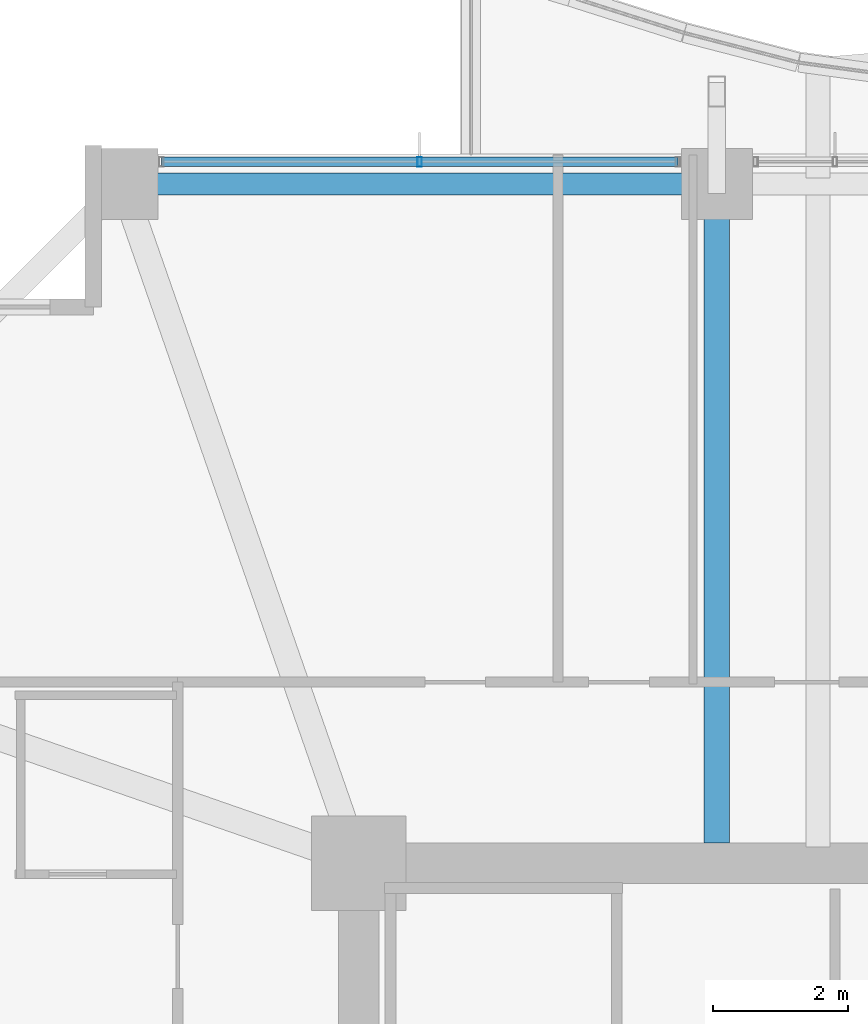
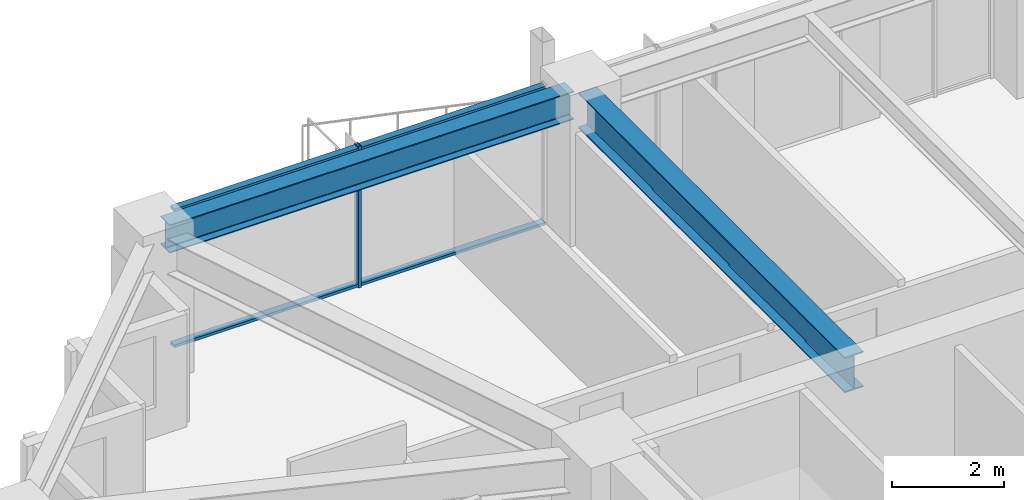
# One storey, part 20 of 38: 3 members, 2 beams, 1 element without a shape of its own.
"""IFC4 building model written with IfcOpenShell, lengths in metres."""

from ifc_helpers import new_model, si_unit, direction, frame, origin, origin_2d, place, context, subcontext, project, spatial, hollow_rectangle, i_section, extrude, material, material_profile, profile_set, type_object, element, aggregate, save


model = new_model("IFC4")

# Units and contexts
model_context = context("Model", 3, precision=1e-05, world=origin(), true_north=direction((0.0, 1.0)))
body_context = subcontext(model_context, "Body", "Model", "MODEL_VIEW")
ifc_project = project(units=[si_unit("LENGTHUNIT", "METRE"), si_unit("AREAUNIT", "SQUARE_METRE"), si_unit("VOLUMEUNIT", "CUBIC_METRE"), si_unit("PLANEANGLEUNIT", "RADIAN"), si_unit("MASSUNIT", "GRAM", prefix="KILO")], contexts=[model_context])

# Site, building, storey
site_placement = place(None, origin())
site = spatial("IfcSite", under=ifc_project, at=site_placement, CompositionType="ELEMENT")
building_placement = place(site_placement, origin())
building = spatial("IfcBuilding", under=site, at=building_placement, Name="Kolvaren Belvedere", CompositionType="ELEMENT")
storey_placement = place(building_placement, frame((0.0, 0.0, 78.800048828125)))
storey = spatial("IfcBuildingStorey", under=building, at=storey_placement, Name="L22", CompositionType="ELEMENT", Elevation=78.800048828125)

# Beams
ifc_material_1 = material(Name="Structural steel ASTM A992 Grade 50", Category="steel")
ifc_material_profile_1 = material_profile(ifc_material_1, i_section(OverallWidth=0.381103515625, OverallDepth=0.77294921875, WebThickness=0.0166015625, FlangeThickness=0.027099609375, FilletRadius=0.02392578125, at=origin_2d()), Name="W30X173")
ifc_profile_set_1 = profile_set([ifc_material_profile_1], Name="Structural steel ASTM A992 Grade 50")
beam_type_1 = type_object("IfcBeamType", Name="BM-GIRD-W30X173", PredefinedType="BEAM", material=ifc_profile_set_1)
beam_1_placement = place(storey_placement, frame((-4.60009765625, 10.199951171875, 2.693359375), z_axis=(0.0, 1.0, 0.0), x_axis=(-1.0, 0.0, 0.0)))
element("IfcBeam", 1, at=beam_1_placement, inside=storey, type_object=beam_type_1, Name="L22 North Radial Girder M", PredefinedType="BEAM", context=body_context, shape_type="SweptSolid", body=[
    extrude(i_section(OverallWidth=0.381103515625, OverallDepth=0.77294921875, WebThickness=0.0166015625, FlangeThickness=0.027099609375, FilletRadius=0.02392578125, at=origin_2d()), origin(), (0.0, 0.0, 1.0), 9.513916015625),
])
ifc_material_2 = material(Name="Structural steel ASTM A992 Grade 50", Category="steel")
ifc_material_profile_2 = material_profile(ifc_material_2, i_section(OverallWidth=0.324951171875, OverallDepth=0.615966796875, WebThickness=0.013916015625, FlangeThickness=0.021484375, FilletRadius=0.02001953125, at=origin_2d()), Name="W24X117")
ifc_profile_set_2 = profile_set([ifc_material_profile_2], Name="Structural steel ASTM A992 Grade 50")
beam_type_2 = type_object("IfcBeamType", Name="BM-SPAN-W24X117", PredefinedType="SPANDREL", material=ifc_profile_set_2)
beam_2_placement = place(storey_placement, frame((-4.836181640625, 19.949951171875, 2.77197265625), z_axis=(-1.0, 0.0, 0.0), x_axis=(0.0, -1.0, 0.0)))
element("IfcBeam", 2, at=beam_2_placement, inside=storey, type_object=beam_type_2, Name="L22 Perimeter Spandrel N2-N1", PredefinedType="SPANDREL", context=body_context, shape_type="SweptSolid", body=[
    extrude(i_section(OverallWidth=0.324951171875, OverallDepth=0.615966796875, WebThickness=0.013916015625, FlangeThickness=0.021484375, FilletRadius=0.02001953125, at=origin_2d()), origin(), (0.0, 0.0, 1.0), 8.32763671875),
])

# Curtain wall, members
ifc_material_3 = material(Name="Anodised pale-metal aluminium AA 6063-T6", Category="aluminium")
curtain_wall_type = type_object("IfcCurtainWallType", Name="CW-Z2-MID", PredefinedType="NOTDEFINED", material=ifc_material_3)
curtain_wall_placement = place(storey_placement, origin())
curtain_wall = element("IfcCurtainWall", 3, at=curtain_wall_placement, inside=storey, type_object=curtain_wall_type, Name="L22 Unitised Curtain Wall FCW-L22-N1-B1", PredefinedType="NOTDEFINED")
ifc_material_4 = material(Name="Anodised pale-metal aluminium AA 6063-T6", Category="aluminium")
ifc_material_profile_3 = material_profile(ifc_material_4, hollow_rectangle(XDim=0.06494140625, YDim=0.139892578125, WallThickness=0.00390625, at=origin_2d()), Name="ALU-MUL-140X65")
ifc_profile_set_3 = profile_set([ifc_material_profile_3], Name="Anodised pale-metal aluminium AA 6063-T6")
member_type_1 = type_object("IfcMemberType", Name="CW-MUL-140", PredefinedType="MULLION", material=ifc_profile_set_3)
member_1_placement = place(storey_placement, frame((-9.0, 20.280029296875, 0.0), z_axis=(0.0, 0.0, 1.0), x_axis=(1.0, 0.0, 0.0)))
member_1 = element("IfcMember", 4, at=member_1_placement, type_object=member_type_1, Name="FCW-L22-N1-B1 Unitised Mullion 2", PredefinedType="MULLION", context=body_context, shape_type="SweptSolid", body=[
    extrude(hollow_rectangle(XDim=0.06494140625, YDim=0.139892578125, WallThickness=0.00390625, at=origin_2d()), origin(), (0.0, 0.0, 1.0), 3.079833984375),
])
ifc_material_5 = material(Name="Anodised pale-metal aluminium AA 6063-T6", Category="aluminium")
ifc_material_profile_4 = material_profile(ifc_material_5, hollow_rectangle(XDim=0.06005859375, YDim=0.139892578125, WallThickness=0.00390625, at=origin_2d()), Name="ALU-TRN-140X60")
ifc_profile_set_4 = profile_set([ifc_material_profile_4], Name="Anodised pale-metal aluminium AA 6063-T6")
member_type_2 = type_object("IfcMemberType", Name="CW-TRN-140", PredefinedType="USERDEFINED", material=ifc_profile_set_4)
member_2_placement = place(storey_placement, frame((-12.822509765625, 20.280029296875, 0.06005859375), z_axis=(1.0, 0.0, 0.0), x_axis=(0.0, 0.0, 1.0)))
member_2 = element("IfcMember", 5, at=member_2_placement, type_object=member_type_2, Name="FCW-L22-N1-B1 Sill Transom", ObjectType="TRANSOM", PredefinedType="USERDEFINED", context=body_context, shape_type="SweptSolid", body=[
    extrude(hollow_rectangle(XDim=0.06005859375, YDim=0.139892578125, WallThickness=0.00390625, at=origin_2d()), origin(), (0.0, 0.0, 1.0), 7.64501953125),
])
member_3_placement = place(storey_placement, frame((-12.822509765625, 20.280029296875, 3.02001953125), z_axis=(1.0, 0.0, 0.0), x_axis=(0.0, 0.0, 1.0)))
member_3 = element("IfcMember", 6, at=member_3_placement, type_object=member_type_2, Name="FCW-L22-N1-B1 Head Transom", ObjectType="TRANSOM", PredefinedType="USERDEFINED", context=body_context, shape_type="SweptSolid", body=[
    extrude(hollow_rectangle(XDim=0.06005859375, YDim=0.139892578125, WallThickness=0.00390625, at=origin_2d()), origin(), (0.0, 0.0, 1.0), 7.64501953125),
])
aggregate(curtain_wall, [member_1, member_2, member_3])

save(model, "model.ifc")
